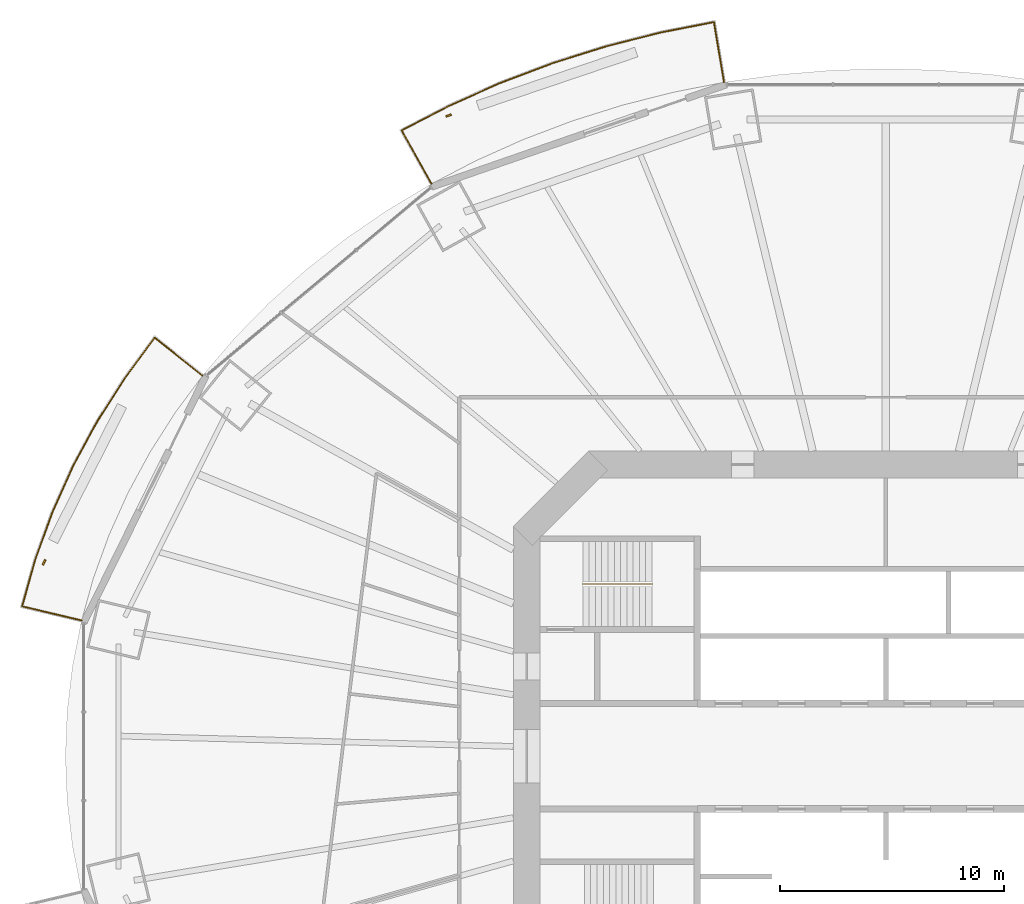
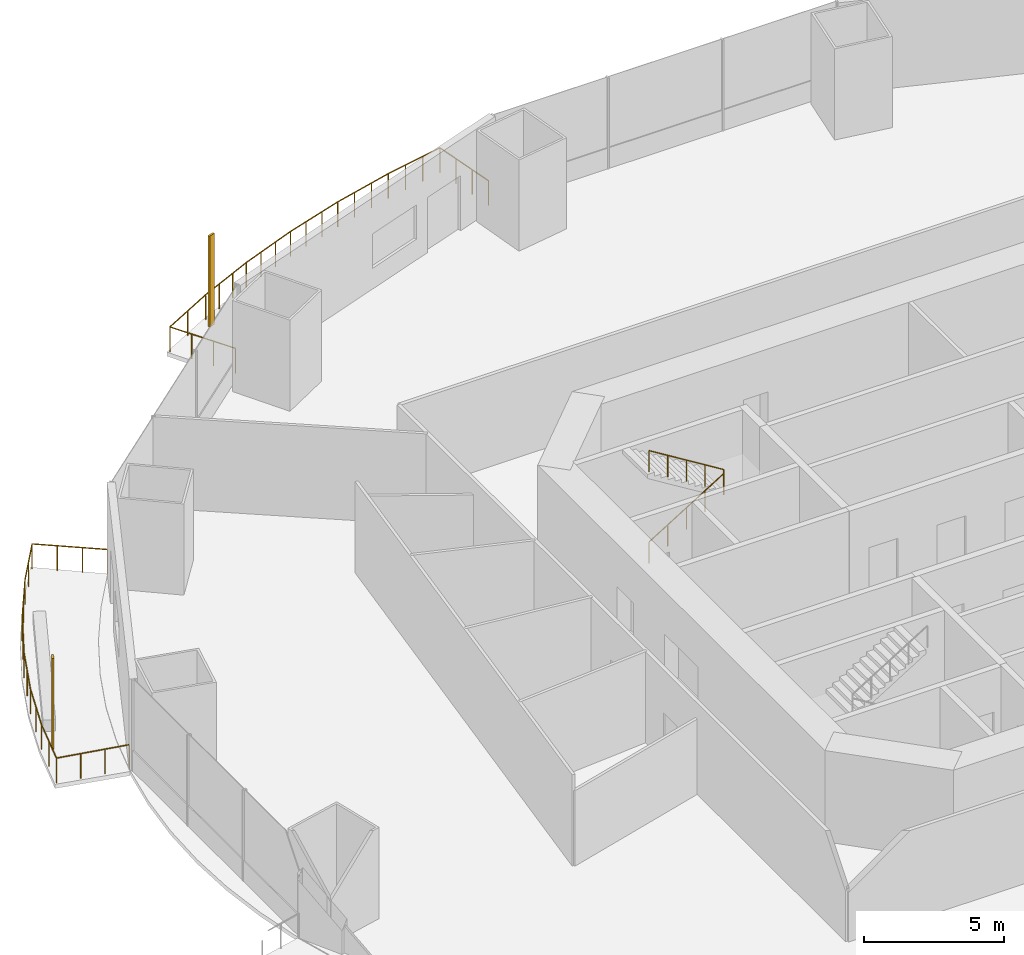
# One storey, part 20 of 23: 3 railings, 2 shading devices.
"""IFC4 building model written with IfcOpenShell, lengths in metres."""

from ifc_helpers import new_model, si_unit, direction, frame, origin, origin_2d, place, context, subcontext, project, spatial, rectangle, circle, extrude, material, material_profile, profile_set, type_object, element, save


model = new_model("IFC4")

# Units and contexts
model_context = context("Model", 3, precision=1e-05, world=origin(), true_north=direction((0.0, 1.0)))
body_context = subcontext(model_context, "Body", "Model", "MODEL_VIEW")
ifc_project = project(units=[si_unit("LENGTHUNIT", "METRE"), si_unit("AREAUNIT", "SQUARE_METRE"), si_unit("VOLUMEUNIT", "CUBIC_METRE"), si_unit("PLANEANGLEUNIT", "RADIAN"), si_unit("MASSUNIT", "GRAM", prefix="KILO")], contexts=[model_context])

# Site, building, storey
site_placement = place(None, origin())
site = spatial("IfcSite", under=ifc_project, at=site_placement, CompositionType="ELEMENT")
building_placement = place(site_placement, origin())
building = spatial("IfcBuilding", under=site, at=building_placement, Name="Marenthal Gate Tower", CompositionType="ELEMENT")
storey_placement = place(building_placement, frame((0.0, 0.0, 49.60009765625)))
storey = spatial("IfcBuildingStorey", under=building, at=storey_placement, Name="L08", CompositionType="ELEMENT", Elevation=49.60009765625)

# Railings
ifc_material_1 = material(Name="Stainless steel", Category="steel")
railing_type_1 = type_object("IfcRailingType", Name="Balcony guard 1100", PredefinedType="GUARDRAIL", material=ifc_material_1)
railing_1_placement = place(storey_placement, frame((-20.24072265625, 25.51123046875, 0.0)))
element("IfcRailing", 1, at=railing_1_placement, inside=storey, type_object=railing_type_1, Name="Balcony guard L08 bay 5", PredefinedType="GUARDRAIL", context=body_context, shape_type="SweptSolid", body=[
    extrude(circle(Radius=0.02392578125, at=origin_2d()), frame((0.0, 0.0, 1.076171875), z_axis=(-0.488779989422, 0.872282908041, -0.014719044852), x_axis=(-0.872377413566, -0.488832945188, 0.0)), (0.0, 0.0, 1.0), 2.72021484375),
    extrude(circle(Radius=0.02392578125, at=origin_2d()), frame((-1.32958984375, 2.372802734375, 1.0361328125), z_axis=(0.887280789471, 0.461229661487, 0.0), x_axis=(-0.461229661487, 0.887280789471, 0.0)), (0.0, 0.0, 1.0), 2.37353515625),
    extrude(circle(Radius=0.02392578125, at=origin_2d()), frame((0.7763671875, 3.467529296875, 1.0361328125), z_axis=(0.912605925031, 0.408840342429, 0.0), x_axis=(-0.408840342429, 0.912605925031, 0.0)), (0.0, 0.0, 1.0), 2.4716796875),
    extrude(circle(Radius=0.02392578125, at=origin_2d()), frame((3.031982421875, 4.47802734375, 1.0361328125), z_axis=(0.934902124895, 0.354905645019, 0.0), x_axis=(-0.354905645019, 0.934902124895, 0.0)), (0.0, 0.0, 1.0), 2.488037109375),
    extrude(circle(Radius=0.02392578125, at=origin_2d()), frame((5.358154296875, 5.361083984375, 1.0361328125), z_axis=(0.953671084495, 0.30085123001, 0.0), x_axis=(-0.30085123001, 0.953671084495, 0.0)), (0.0, 0.0, 1.0), 2.502685546875),
    extrude(circle(Radius=0.02392578125, at=origin_2d()), frame((7.744873046875, 6.114013671875, 1.0361328125), z_axis=(0.969181494284, 0.246347784927, 0.0), x_axis=(-0.246347784927, 0.969181494284, 0.0)), (0.0, 0.0, 1.0), 2.515380859375),
    extrude(circle(Radius=0.02392578125, at=origin_2d()), frame((10.1826171875, 6.733642578125, 1.0361328125), z_axis=(0.981261967917, 0.19267835976, 0.0), x_axis=(-0.19267835976, 0.981261967917, 0.0)), (0.0, 0.0, 1.0), 2.445556640625),
    extrude(circle(Radius=0.02392578125, at=origin_2d()), frame((12.582275390625, 7.204833984375, 1.0361328125), z_axis=(0.164512163182, -0.986265227064, 0.014719036968), x_axis=(0.986372081632, 0.164529986862, 0.0)), (0.0, 0.0, 1.0), 2.72021484375),
    extrude(circle(Radius=0.02099609375, at=origin_2d()), origin(), (0.0, 0.0, 1.0), 1.052001953125),
    extrude(circle(Radius=0.02099609375, at=origin_2d()), frame((-0.443115234375, 0.791015625, -0.013427734375)), (0.0, 0.0, 1.0), 1.052001953125),
    extrude(circle(Radius=0.02099609375, at=origin_2d()), frame((-0.886474609375, 1.581787109375, -0.026611328125)), (0.0, 0.0, 1.0), 1.052001953125),
    extrude(circle(Radius=0.02099609375, at=origin_2d()), frame((-1.32958984375, 2.372802734375, -0.0400390625)), (0.0, 0.0, 1.0), 1.052001953125),
    extrude(circle(Radius=0.02099609375, at=origin_2d()), frame((-0.276611328125, 2.920166015625, -0.0400390625)), (0.0, 0.0, 1.0), 1.052001953125),
    extrude(circle(Radius=0.02099609375, at=origin_2d()), frame((0.7763671875, 3.467529296875, -0.0400390625)), (0.0, 0.0, 1.0), 1.052001953125),
    extrude(circle(Radius=0.02099609375, at=origin_2d()), frame((1.5283203125, 3.804443359375, -0.0400390625)), (0.0, 0.0, 1.0), 1.052001953125),
    extrude(circle(Radius=0.02099609375, at=origin_2d()), frame((2.280029296875, 4.14111328125, -0.0400390625)), (0.0, 0.0, 1.0), 1.052001953125),
    extrude(circle(Radius=0.02099609375, at=origin_2d()), frame((3.031982421875, 4.47802734375, -0.0400390625)), (0.0, 0.0, 1.0), 1.052001953125),
    extrude(circle(Radius=0.02099609375, at=origin_2d()), frame((3.807373046875, 4.7724609375, -0.0400390625)), (0.0, 0.0, 1.0), 1.052001953125),
    extrude(circle(Radius=0.02099609375, at=origin_2d()), frame((4.582763671875, 5.066650390625, -0.0400390625)), (0.0, 0.0, 1.0), 1.052001953125),
    extrude(circle(Radius=0.02099609375, at=origin_2d()), frame((5.358154296875, 5.361083984375, -0.0400390625)), (0.0, 0.0, 1.0), 1.052001953125),
    extrude(circle(Radius=0.02099609375, at=origin_2d()), frame((6.15380859375, 5.612060546875, -0.0400390625)), (0.0, 0.0, 1.0), 1.052001953125),
    extrude(circle(Radius=0.02099609375, at=origin_2d()), frame((6.94921875, 5.863037109375, -0.0400390625)), (0.0, 0.0, 1.0), 1.052001953125),
    extrude(circle(Radius=0.02099609375, at=origin_2d()), frame((7.744873046875, 6.114013671875, -0.0400390625)), (0.0, 0.0, 1.0), 1.052001953125),
    extrude(circle(Radius=0.02099609375, at=origin_2d()), frame((8.557373046875, 6.320556640625, -0.0400390625)), (0.0, 0.0, 1.0), 1.052001953125),
    extrude(circle(Radius=0.02099609375, at=origin_2d()), frame((9.3701171875, 6.527099609375, -0.0400390625)), (0.0, 0.0, 1.0), 1.052001953125),
    extrude(circle(Radius=0.02099609375, at=origin_2d()), frame((10.1826171875, 6.733642578125, -0.0400390625)), (0.0, 0.0, 1.0), 1.052001953125),
    extrude(circle(Radius=0.02099609375, at=origin_2d()), frame((10.982421875, 6.890625, -0.0400390625)), (0.0, 0.0, 1.0), 1.052001953125),
    extrude(circle(Radius=0.02099609375, at=origin_2d()), frame((11.782470703125, 7.0478515625, -0.0400390625)), (0.0, 0.0, 1.0), 1.052001953125),
    extrude(circle(Radius=0.02099609375, at=origin_2d()), frame((12.582275390625, 7.204833984375, -0.0400390625)), (0.0, 0.0, 1.0), 1.052001953125),
    extrude(circle(Radius=0.02099609375, at=origin_2d()), frame((12.7314453125, 6.310546875, -0.026611328125)), (0.0, 0.0, 1.0), 1.052001953125),
    extrude(circle(Radius=0.02099609375, at=origin_2d()), frame((12.880615234375, 5.416259765625, -0.013427734375)), (0.0, 0.0, 1.0), 1.052001953125),
    extrude(circle(Radius=0.02099609375, at=origin_2d()), frame((13.02978515625, 4.52197265625, 0.0)), (0.0, 0.0, 1.0), 1.052001953125),
])
railing_2_placement = place(storey_placement, frame((-35.8369140625, 6.054443359375, 0.0)))
element("IfcRailing", 2, at=railing_2_placement, inside=storey, type_object=railing_type_1, Name="Balcony guard L08 bay 7", PredefinedType="GUARDRAIL", context=body_context, shape_type="SweptSolid", body=[
    extrude(circle(Radius=0.02392578125, at=origin_2d()), frame((0.0, 0.0, 1.076171875), z_axis=(-0.972906523904, 0.230729884047, -0.014717892254), x_axis=(-0.230754878041, -0.973011914758, 0.0)), (0.0, 0.0, 1.0), 2.720458984375),
    extrude(circle(Radius=0.02392578125, at=origin_2d()), frame((-2.646728515625, 0.627685546875, 1.0361328125), z_axis=(0.269402906993, 0.963027556046, 0.0), x_axis=(-0.963027556046, 0.269402906993, 0.0)), (0.0, 0.0, 1.0), 2.154052734375),
    extrude(circle(Radius=0.02392578125, at=origin_2d()), frame((-2.06640625, 2.7021484375, 1.0361328125), z_axis=(0.340363176703, 0.940294053977, 0.0), x_axis=(-0.940294053977, 0.340363176703, 0.0)), (0.0, 0.0, 1.0), 2.2451171875),
    extrude(circle(Radius=0.02392578125, at=origin_2d()), frame((-1.30224609375, 4.813232421875, 1.0361328125), z_axis=(0.409595910935, 0.912267060539, 0.0), x_axis=(-0.912267060539, 0.409595910935, 0.0)), (0.0, 0.0, 1.0), 2.258544921875),
    extrude(circle(Radius=0.02392578125, at=origin_2d()), frame((-0.377197265625, 6.87353515625, 1.0361328125), z_axis=(0.475629312141, 0.879645813628, 0.0), x_axis=(-0.879645813628, 0.475629312141, 0.0)), (0.0, 0.0, 1.0), 2.27392578125),
    extrude(circle(Radius=0.02392578125, at=origin_2d()), frame((0.704345703125, 8.873779296875, 1.0361328125), z_axis=(0.537716445458, 0.843125746425, 0.0), x_axis=(-0.843125746425, 0.537716445458, 0.0)), (0.0, 0.0, 1.0), 2.291015625),
    extrude(circle(Radius=0.02392578125, at=origin_2d()), frame((1.936279296875, 10.805419921875, 1.0361328125), z_axis=(0.594837345743, 0.803846087326, 0.0), x_axis=(-0.803846087326, 0.594837345743, 0.0)), (0.0, 0.0, 1.0), 2.22998046875),
    extrude(circle(Radius=0.02392578125, at=origin_2d()), frame((3.2626953125, 12.597900390625, 1.0361328125), z_axis=(0.782017214913, -0.623083029968, 0.014717790136), x_axis=(0.623150524983, 0.782101926358, 0.0)), (0.0, 0.0, 1.0), 2.720458984375),
    extrude(circle(Radius=0.02099609375, at=origin_2d()), origin(), (0.0, 0.0, 1.0), 1.052001953125),
    extrude(circle(Radius=0.02099609375, at=origin_2d()), frame((-0.88232421875, 0.209228515625, -0.013427734375)), (0.0, 0.0, 1.0), 1.052001953125),
    extrude(circle(Radius=0.02099609375, at=origin_2d()), frame((-1.764404296875, 0.41845703125, -0.026611328125)), (0.0, 0.0, 1.0), 1.052001953125),
    extrude(circle(Radius=0.02099609375, at=origin_2d()), frame((-2.646728515625, 0.627685546875, -0.0400390625)), (0.0, 0.0, 1.0), 1.052001953125),
    extrude(circle(Radius=0.02099609375, at=origin_2d()), frame((-2.3564453125, 1.6650390625, -0.0400390625)), (0.0, 0.0, 1.0), 1.052001953125),
    extrude(circle(Radius=0.02099609375, at=origin_2d()), frame((-2.06640625, 2.7021484375, -0.0400390625)), (0.0, 0.0, 1.0), 1.052001953125),
    extrude(circle(Radius=0.02099609375, at=origin_2d()), frame((-1.684326171875, 3.7578125, -0.0400390625)), (0.0, 0.0, 1.0), 1.052001953125),
    extrude(circle(Radius=0.02099609375, at=origin_2d()), frame((-1.30224609375, 4.813232421875, -0.0400390625)), (0.0, 0.0, 1.0), 1.052001953125),
    extrude(circle(Radius=0.02099609375, at=origin_2d()), frame((-0.83984375, 5.84326171875, -0.0400390625)), (0.0, 0.0, 1.0), 1.052001953125),
    extrude(circle(Radius=0.02099609375, at=origin_2d()), frame((-0.377197265625, 6.87353515625, -0.0400390625)), (0.0, 0.0, 1.0), 1.052001953125),
    extrude(circle(Radius=0.02099609375, at=origin_2d()), frame((0.16357421875, 7.87353515625, -0.0400390625)), (0.0, 0.0, 1.0), 1.052001953125),
    extrude(circle(Radius=0.02099609375, at=origin_2d()), frame((0.704345703125, 8.873779296875, -0.0400390625)), (0.0, 0.0, 1.0), 1.052001953125),
    extrude(circle(Radius=0.02099609375, at=origin_2d()), frame((1.3203125, 9.839599609375, -0.0400390625)), (0.0, 0.0, 1.0), 1.052001953125),
    extrude(circle(Radius=0.02099609375, at=origin_2d()), frame((1.936279296875, 10.805419921875, -0.0400390625)), (0.0, 0.0, 1.0), 1.052001953125),
    extrude(circle(Radius=0.02099609375, at=origin_2d()), frame((2.599609375, 11.70166015625, -0.0400390625)), (0.0, 0.0, 1.0), 1.052001953125),
    extrude(circle(Radius=0.02099609375, at=origin_2d()), frame((3.2626953125, 12.597900390625, -0.0400390625)), (0.0, 0.0, 1.0), 1.052001953125),
    extrude(circle(Radius=0.02099609375, at=origin_2d()), frame((3.971923828125, 12.032958984375, -0.026611328125)), (0.0, 0.0, 1.0), 1.052001953125),
    extrude(circle(Radius=0.02099609375, at=origin_2d()), frame((4.680908203125, 11.4677734375, -0.013427734375)), (0.0, 0.0, 1.0), 1.052001953125),
    extrude(circle(Radius=0.02099609375, at=origin_2d()), frame((5.39013671875, 10.90283203125, 0.0)), (0.0, 0.0, 1.0), 1.052001953125),
])
ifc_material_2 = material(Name="Stainless steel", Category="steel")
railing_type_2 = type_object("IfcRailingType", Name="Stair handrail", PredefinedType="HANDRAIL", material=ifc_material_2)
railing_3_placement = place(storey_placement, frame((-13.5, 7.675048828125, 0.1728515625)))
element("IfcRailing", 3, at=railing_3_placement, inside=storey, type_object=railing_type_2, Name="Handrail ST1", PredefinedType="HANDRAIL", context=body_context, shape_type="SweptSolid", body=[
    extrude(circle(Radius=0.0224609375, at=origin_2d()), frame((0.0, 0.0, 0.927490234375), z_axis=(0.850835241893, 0.0, 0.525432575268), x_axis=(0.0, 1.0, 0.0)), (0.0, 0.0, 1.0), 3.6201171875),
    extrude(circle(Radius=0.0224609375, at=origin_2d()), frame((3.080078125, 0.0, 2.82958984375), z_axis=(0.0, 0.0, 1.0), x_axis=(1.0, 0.0, 0.0)), (0.0, 0.0, 1.0), 0.1728515625),
    extrude(circle(Radius=0.0224609375, at=origin_2d()), frame((3.080078125, 0.0, 3.00244140625), z_axis=(-0.850835241893, 0.0, 0.525432575268), x_axis=(0.0, -1.0, 0.0)), (0.0, 0.0, 1.0), 3.6201171875),
    extrude(circle(Radius=0.02001953125, at=origin_2d()), origin(), (0.0, 0.0, 1.0), 0.905029296875),
    extrude(circle(Radius=0.02001953125, at=origin_2d()), frame((0.77001953125, 0.0, 0.4755859375)), (0.0, 0.0, 1.0), 0.905029296875),
    extrude(circle(Radius=0.02001953125, at=origin_2d()), frame((1.5400390625, 0.0, 0.951171875)), (0.0, 0.0, 1.0), 0.905029296875),
    extrude(circle(Radius=0.02001953125, at=origin_2d()), frame((2.31005859375, 0.0, 1.426513671875)), (0.0, 0.0, 1.0), 0.905029296875),
    extrude(circle(Radius=0.02001953125, at=origin_2d()), frame((3.080078125, 0.0, 1.902099609375)), (0.0, 0.0, 1.0), 0.905029296875),
    extrude(circle(Radius=0.02001953125, at=origin_2d()), frame((3.080078125, 0.0, 2.074951171875)), (0.0, 0.0, 1.0), 0.905029296875),
    extrude(circle(Radius=0.02001953125, at=origin_2d()), frame((2.31005859375, 0.0, 2.550537109375)), (0.0, 0.0, 1.0), 0.905029296875),
    extrude(circle(Radius=0.02001953125, at=origin_2d()), frame((1.5400390625, 0.0, 3.02587890625)), (0.0, 0.0, 1.0), 0.905029296875),
    extrude(circle(Radius=0.02001953125, at=origin_2d()), frame((0.77001953125, 0.0, 3.50146484375)), (0.0, 0.0, 1.0), 0.905029296875),
    extrude(circle(Radius=0.02001953125, at=origin_2d()), frame((0.0, 0.0, 3.97705078125)), (0.0, 0.0, 1.0), 0.905029296875),
])

# Shading devices
ifc_material_3 = material(Name="Terracotta", Category="masonry")
ifc_material_profile = material_profile(ifc_material_3, rectangle(XDim=0.25, YDim=0.080078125, at=origin_2d()), Name="Terracotta baguette 250x80")
ifc_profile_set = profile_set([ifc_material_profile], Name="Terracotta")
shading_device_type = type_object("IfcShadingDeviceType", Name="Terracotta BAGUETTE SCREEN 250x80", PredefinedType="USERDEFINED", material=ifc_profile_set)
for number, where, z_axis, x_axis, name in (
    (4, (-19.481689453125, 28.55078125, -0.0400390625), (0.0, 0.0, 1.0), (-0.944690686162, -0.327962661713, 0.0), "Terracotta BAGUETTE L08 bay 5R"),
    (5, (-37.507080078125, 8.643310546875, -0.0400390625), (0.0, 0.0, 1.0), (-0.44305812807, -0.89649288628, 0.0), "Terracotta BAGUETTE L08 bay 7R"),
):
    element("IfcShadingDevice", number, at=place(storey_placement, frame(where, z_axis=z_axis, x_axis=x_axis)), inside=storey, type_object=shading_device_type, Name=name, ObjectType="BAGUETTE SCREEN", PredefinedType="USERDEFINED", context=body_context, shape_type="SweptSolid", body=[
        extrude(rectangle(XDim=0.25, YDim=0.080078125, at=origin_2d()), origin(), (0.0, 0.0, 1.0), 3.969970703125),
    ])

save(model, "model.ifc")
